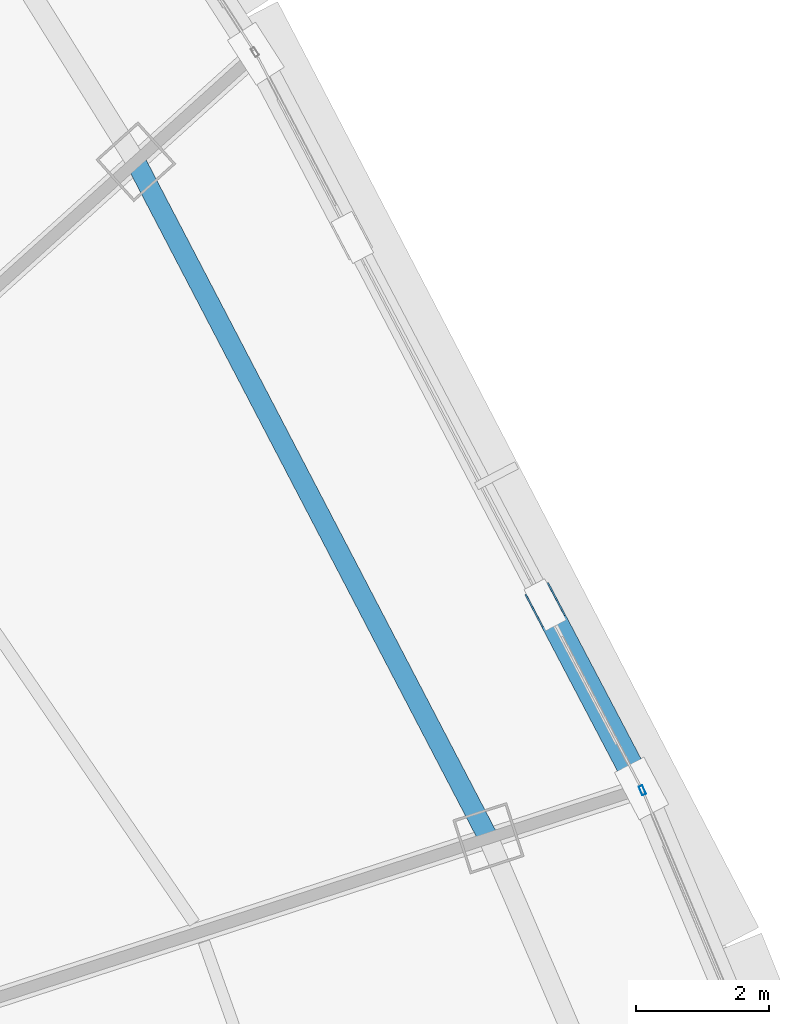
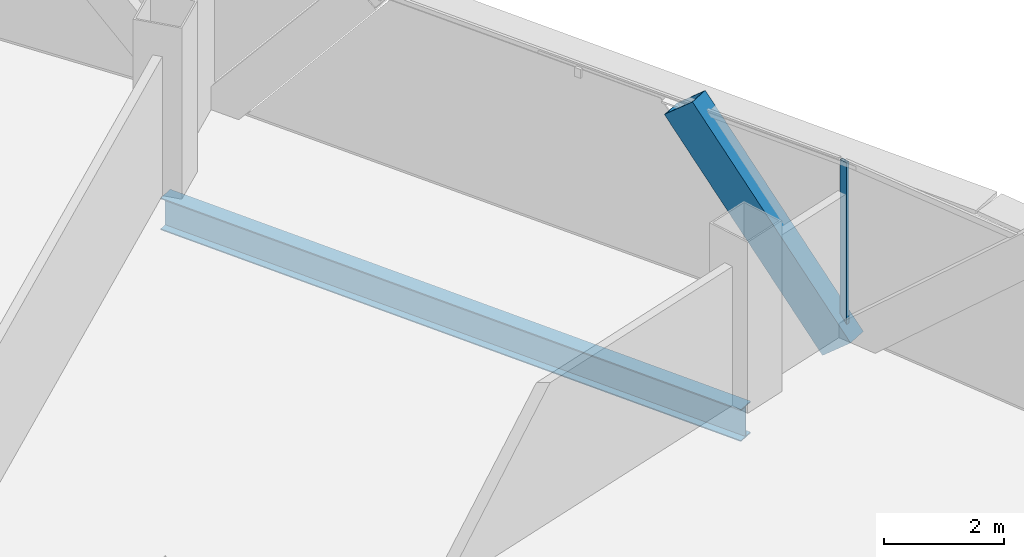
# One storey, part 14 of 37: 2 members, 1 beam, 1 element without a shape of its own.
"""IFC4 building model written with IfcOpenShell, lengths in metres."""

import ifcopenshell
import ifcopenshell.guid

model = None  # the IFC model being written
_history = None  # IfcOwnerHistory: only IFC2X3 demands one
_inside = {}  # id of a spatial element -> (the spatial element, [elements in it])
_under = {}  # id of a project, library or spatial element -> (it, [spatial elements below it])
_declared = {}  # id of a project -> (the project, [libraries it declares])
_typed = {}  # id of a type object -> (the type object, [elements of that type])
_made_of = {}  # id of a material, layer set ... -> (it, [elements and type objects made of it])


def new_model(schema):
    """Start an empty IFC model of exactly this schema.

    Asked for "IFC4X3", IfcOpenShell would pick the latest addendum, in which some entities
    have other attributes; the version numbers below select the first issue.
    IFC2X3 requires an IfcOwnerHistory on every rooted entity: one is made here for all.
    """
    global model, _history
    if schema == "IFC4X3":
        model = ifcopenshell.file(schema_version=(4, 3, 0, 0))
    else:
        model = ifcopenshell.file(schema=schema)
    _inside.clear()
    _under.clear()
    _declared.clear()
    _typed.clear()
    _made_of.clear()
    _history = None
    if model.schema == "IFC2X3":
        org = make("IfcOrganization", Name="unknown")
        user = make(
            "IfcPersonAndOrganization",
            ThePerson=make("IfcPerson", FamilyName="unknown"),
            TheOrganization=org,
        )
        app = make(
            "IfcApplication",
            ApplicationDeveloper=org,
            Version="unknown",
            ApplicationFullName="unknown",
            ApplicationIdentifier="unknown",
        )
        _history = make(
            "IfcOwnerHistory",
            OwningUser=user,
            OwningApplication=app,
            ChangeAction="ADDED",
            CreationDate=0,
        )
    return model


def make(cls, **values):
    """One entity of the class cls with the attributes given. An attribute that is None is left unset."""
    return model.create_entity(
        cls, **{name: value for name, value in values.items() if value is not None}
    )


def rooted(cls, **values):
    """An entity with a GlobalId (a new one), such as an element, a storey or a relation."""
    return make(cls, GlobalId=ifcopenshell.guid.new(), OwnerHistory=_history, **values)


def si_unit(unit_type, name, prefix=None):
    """IfcSIUnit, for example si_unit("LENGTHUNIT", "METRE", prefix="MILLI")."""
    return make("IfcSIUnit", UnitType=unit_type, Prefix=prefix, Name=name)


def assignment(units):
    """IfcUnitAssignment: the units of a project."""
    return None if units is None else make("IfcUnitAssignment", Units=units)


def point(xyz):
    """IfcCartesianPoint."""
    return None if xyz is None else make("IfcCartesianPoint", Coordinates=xyz)


def direction(xyz):
    """IfcDirection."""
    return None if xyz is None else make("IfcDirection", DirectionRatios=xyz)


def frame(location, z_axis=None, x_axis=None):
    """IfcAxis2Placement3D, a coordinate frame: its origin and axes. An axis left out is left unset."""
    return make(
        "IfcAxis2Placement3D",
        Location=point(location),
        Axis=direction(z_axis),
        RefDirection=direction(x_axis),
    )


def frame_2d(location, x_axis=None):
    """IfcAxis2Placement2D, a coordinate frame in the plane: its origin and x axis."""
    return make(
        "IfcAxis2Placement2D", Location=point(location), RefDirection=direction(x_axis)
    )


def origin():
    """The frame at (0, 0, 0) with its axes left unset."""
    return frame((0.0, 0.0, 0.0))


def origin_2d():
    """The frame at (0, 0) in the plane with its x axis left unset."""
    return frame_2d((0.0, 0.0))


def place(relative_to, where):
    """IfcLocalPlacement: puts the frame where relative to a parent placement (None: the world)."""
    return make(
        "IfcLocalPlacement", PlacementRelTo=relative_to, RelativePlacement=where
    )


def context(
    kind, dimensions, precision=None, world=None, true_north=None, identifier=None
):
    """IfcGeometricRepresentationContext, for example the 3D "Model" context."""
    return make(
        "IfcGeometricRepresentationContext",
        ContextIdentifier=identifier,
        ContextType=kind,
        CoordinateSpaceDimension=dimensions,
        Precision=precision,
        WorldCoordinateSystem=world,
        TrueNorth=true_north,
    )


def subcontext(parent, identifier, kind, view, scale=None):
    """IfcGeometricRepresentationSubContext, for example "Body" below "Model"."""
    return make(
        "IfcGeometricRepresentationSubContext",
        ContextIdentifier=identifier,
        ContextType=kind,
        ParentContext=parent,
        TargetScale=scale,
        TargetView=view,
    )


def project(units=None, contexts=None):
    """IfcProject with its units and contexts."""
    return rooted(
        "IfcProject",
        Name="project",
        RepresentationContexts=contexts,
        UnitsInContext=assignment(units),
    )


def spatial(cls, under=None, at=None, **own):
    """A site, building, storey or space (cls), placed at a placement, below another one or the project."""
    s = rooted(cls, ObjectPlacement=at, **own)
    if under is not None:
        _under.setdefault(under.id(), (under, []))[1].append(s)
    return s


def profile(cls, at=None, kind="AREA", **sizes):
    """A parametric profile (cls). Its sizes go by their IFC names, for example OverallWidth=200.0."""
    return make(cls, ProfileType=kind, Position=at, **sizes)


def hollow_rectangle(**sizes):
    """IfcRectangleHollowProfileDef."""
    return profile("IfcRectangleHollowProfileDef", **sizes)


def i_section(**sizes):
    """IfcIShapeProfileDef."""
    return profile("IfcIShapeProfileDef", **sizes)


def extrude(swept, where, along, depth):
    """IfcExtrudedAreaSolid: the profile swept, set in the frame where, extruded along a direction by depth."""
    return make(
        "IfcExtrudedAreaSolid",
        SweptArea=swept,
        Position=where,
        ExtrudedDirection=direction(along),
        Depth=depth,
    )


def shape(context_of_items, identifier, shape_type, items):
    """IfcShapeRepresentation: the items that make up one representation, for example the "Body"."""
    return make(
        "IfcShapeRepresentation",
        ContextOfItems=context_of_items,
        RepresentationIdentifier=identifier,
        RepresentationType=shape_type,
        Items=items,
    )


def source(mapping_origin, context_of_items, identifier, shape_type, items):
    """IfcRepresentationMap: a shape defined once, which mapped items show again and again."""
    return make(
        "IfcRepresentationMap",
        MappingOrigin=mapping_origin,
        MappedRepresentation=shape(context_of_items, identifier, shape_type, items),
    )


def transform(
    local_origin,
    x_axis=None,
    y_axis=None,
    z_axis=None,
    scale=None,
    scale2=None,
    scale3=None,
    uniform=True,
):
    """IfcCartesianTransformationOperator3D, or its non-uniform kind. x_axis, y_axis, z_axis: its Axis1, 2, 3."""
    if uniform:
        return make(
            "IfcCartesianTransformationOperator3D",
            Axis1=direction(x_axis),
            Axis2=direction(y_axis),
            LocalOrigin=point(local_origin),
            Scale=scale,
            Axis3=direction(z_axis),
        )
    return make(
        "IfcCartesianTransformationOperator3DnonUniform",
        Axis1=direction(x_axis),
        Axis2=direction(y_axis),
        LocalOrigin=point(local_origin),
        Scale=scale,
        Axis3=direction(z_axis),
        Scale2=scale2,
        Scale3=scale3,
    )


def mapped(mapping_source, mapping_target):
    """IfcMappedItem: shows the shape of a source again, moved by a transform."""
    return make(
        "IfcMappedItem", MappingSource=mapping_source, MappingTarget=mapping_target
    )


def material(Name=None, Category=None):
    """IfcMaterial."""
    return make("IfcMaterial", Name=Name, Category=Category)


def layer(
    of_material, thickness, ventilated=None, Name=None, Category=None, Priority=None
):
    """IfcMaterialLayer: one layer of a wall or slab, of a material (None: an air gap)."""
    return make(
        "IfcMaterialLayer",
        Material=of_material,
        LayerThickness=thickness,
        IsVentilated=ventilated,
        Name=Name,
        Category=Category,
        Priority=Priority,
    )


def layer_set(layers, Name=None):
    """IfcMaterialLayerSet."""
    return make("IfcMaterialLayerSet", MaterialLayers=layers, LayerSetName=Name)


def material_profile(
    of_material, cross_section, Name=None, Category=None, Priority=None
):
    """IfcMaterialProfile: a cross section and its material."""
    return make(
        "IfcMaterialProfile",
        Name=Name,
        Material=of_material,
        Profile=cross_section,
        Priority=Priority,
        Category=Category,
    )


def profile_set(profiles, Name=None, composite=None):
    """IfcMaterialProfileSet."""
    return make(
        "IfcMaterialProfileSet",
        Name=Name,
        MaterialProfiles=profiles,
        CompositeProfile=composite,
    )


def made_of(thing, what):
    """Note that an element or type object is made of a material, layer set ...; save() writes the relation."""
    if what is not None:
        _made_of.setdefault(what.id(), (what, []))[1].append(thing)
    return thing


def type_object(cls, material=None, **own):
    """A type object (cls), such as IfcWallType, which elements share."""
    return made_of(rooted(cls, **own), material)


def element(
    cls,
    number,
    at=None,
    inside=None,
    cuts=None,
    type_object=None,
    material=None,
    context=None,
    identifier="Body",
    shape_type=None,
    held_by="IfcProductDefinitionShape",
    body=None,
    shapes=None,
    **own,
):
    """One element of the class cls, such as IfcWall. Its Tag is "e" and its number.

    at: its placement. inside: the storey or other place that contains it. cuts: it is an
    opening in that element (IfcRelVoidsElement). A single representation is given by context,
    identifier, shape_type and body (its items); several are given by shapes. held_by: the class
    of the entity that holds the representations. save() writes the other relations.
    """
    e = rooted(cls, Tag="e%d" % number, ObjectPlacement=at, **own)
    if body is not None:
        shapes = [shape(context, identifier, shape_type, body)]
    if shapes is not None:
        e.Representation = make(held_by, Representations=shapes)
    if inside is not None:
        _inside.setdefault(inside.id(), (inside, []))[1].append(e)
    if cuts is not None:
        rooted(
            "IfcRelVoidsElement", RelatingBuildingElement=cuts, RelatedOpeningElement=e
        )
    if type_object is not None:
        _typed.setdefault(type_object.id(), (type_object, []))[1].append(e)
    return made_of(e, material)


def aggregate(whole, parts):
    """IfcRelAggregates: a whole, such as a stair, and the parts it consists of."""
    return rooted("IfcRelAggregates", RelatingObject=whole, RelatedObjects=parts)


def save(model, path):
    """Write the relations noted so far, then the file.

    IfcRelAggregates (storeys below a building ...), IfcRelContainedInSpatialStructure (elements
    in a storey), IfcRelDefinesByType, IfcRelAssociatesMaterial and IfcRelDeclares: one each for
    every whole, place, type object, material and project.
    """
    for whole, parts in _under.values():
        aggregate(whole, parts)
    for where, things in _inside.values():
        rooted(
            "IfcRelContainedInSpatialStructure",
            RelatedElements=things,
            RelatingStructure=where,
        )
    for kind, things in _typed.values():
        rooted("IfcRelDefinesByType", RelatedObjects=things, RelatingType=kind)
    for what, things in _made_of.values():
        rooted("IfcRelAssociatesMaterial", RelatedObjects=things, RelatingMaterial=what)
    for by, libraries in _declared.values():
        rooted("IfcRelDeclares", RelatingContext=by, RelatedDefinitions=libraries)
    model.write(path)


model = new_model("IFC4")

# Units and contexts
model_context = context("Model", 3, precision=1e-05, world=origin(), true_north=direction((0.0, 1.0)))
body_context = subcontext(model_context, "Body", "Model", "MODEL_VIEW")
ifc_project = project(units=[si_unit("LENGTHUNIT", "METRE"), si_unit("AREAUNIT", "SQUARE_METRE"), si_unit("VOLUMEUNIT", "CUBIC_METRE"), si_unit("PLANEANGLEUNIT", "RADIAN"), si_unit("MASSUNIT", "GRAM", prefix="KILO"), si_unit("THERMODYNAMICTEMPERATUREUNIT", "KELVIN"), si_unit("POWERUNIT", "WATT")], contexts=[model_context])

# Site, building, storey
site_placement = place(None, origin())
site = spatial("IfcSite", under=ifc_project, at=site_placement, CompositionType="ELEMENT")
building_placement = place(site_placement, origin())
building = spatial("IfcBuilding", under=site, at=building_placement, Name="Yunzhuo Pagoda Commons", CompositionType="ELEMENT")
storey_placement = place(building_placement, frame((0.0, 0.0, 240.800048828125)))
storey = spatial("IfcBuildingStorey", under=building, at=storey_placement, Name="L60", CompositionType="ELEMENT", Elevation=240.800048828125)

# Beam
ifc_material_1 = material(Name="Structural steel Q355B", Category="steel")
ifc_material_profile_1 = material_profile(ifc_material_1, i_section(OverallWidth=0.300048828125, OverallDepth=0.64990234375, WebThickness=0.012939453125, FlangeThickness=0.02197265625, at=origin_2d()), Name="Structural steel Q355B")
ifc_profile_set_1 = profile_set([ifc_material_profile_1], Name="Structural steel Q355B")
beam_type = type_object("IfcBeamType", Name="B-RG2 Beam HN 650x300x13x22", PredefinedType="BEAM", material=ifc_profile_set_1)
shared_shape_1 = source(origin(), body_context, "Body", "SweptSolid", [
    extrude(i_section(OverallWidth=0.300048828125, OverallDepth=0.64990234375, WebThickness=0.012939453125, FlangeThickness=0.02197265625, at=origin_2d()), origin(), (0.0, 0.0, 1.0), 11.43896484375),
])
beam_placement = place(storey_placement, frame((73.898681640625, 42.114990234375, -0.5849609375), z_axis=(-0.462175736513, 0.886788356136, 0.0), x_axis=(-0.886788356136, -0.462175736513, 0.0)))
element("IfcBeam", 1, at=beam_placement, inside=storey, type_object=beam_type, Name="L60 column-ring beam 6", PredefinedType="BEAM", context=body_context, shape_type="MappedRepresentation", body=[
    mapped(shared_shape_1, transform((0.0, 0.0, 0.0), scale=1.0)),
])

# Member
ifc_material_profile_2 = material_profile(ifc_material_1, hollow_rectangle(XDim=0.39990234375, YDim=0.719970703125, WallThickness=0.02392578125, at=origin_2d()), Name="Structural steel Q355B")
ifc_profile_set_2 = profile_set([ifc_material_profile_2], Name="Structural steel Q355B")
member_type_1 = type_object("IfcMemberType", Name="M-DL2 Brace BOX 720x400x24", PredefinedType="BRACE", material=ifc_profile_set_2)
shared_shape_2 = source(origin(), body_context, "Body", "SweptSolid", [
    extrude(hollow_rectangle(XDim=0.39990234375, YDim=0.719970703125, WallThickness=0.02392578125, at=origin_2d()), origin(), (0.0, 0.0, 1.0), 4.857421875),
])
member_1_placement = place(storey_placement, frame((76.195556640625, 42.861083984375, -0.260009765625), z_axis=(-0.29770365409, 0.567109628415, 0.767957813751), x_axis=(-0.885416472783, -0.46479852595, 0.0)))
element("IfcMember", 2, at=member_1_placement, inside=storey, type_object=member_type_1, Name="L60 facade diamond brace F2.2L", PredefinedType="BRACE", context=body_context, shape_type="MappedRepresentation", body=[
    mapped(shared_shape_2, transform((0.0, 0.0, 0.0), scale=1.0)),
])

# Curtain wall, member
ifc_material_2 = material(Name="Anodized aluminium 6063-T6", Category="aluminium")
ifc_layer = layer(ifc_material_2, 0.139892578125)
ifc_layer_set = layer_set([ifc_layer], Name="Anodized aluminium 6063-T6")
curtain_wall_type = type_object("IfcCurtainWallType", Name="CW-HI High-Zone Ribbon Curtain Wall", PredefinedType="NOTDEFINED", material=ifc_layer_set)
curtain_wall_placement = place(storey_placement, origin())
curtain_wall = element("IfcCurtainWall", 3, at=curtain_wall_placement, inside=storey, type_object=curtain_wall_type, Name="L60 curtain wall CW-L60-F2B2", PredefinedType="NOTDEFINED")
ifc_material_profile_3 = material_profile(ifc_material_2, hollow_rectangle(XDim=0.06005859375, YDim=0.139892578125, WallThickness=0.00341796875, at=origin_2d()), Name="Anodized aluminium 6063-T6")
ifc_profile_set_3 = profile_set([ifc_material_profile_3], Name="Anodized aluminium 6063-T6")
member_type_2 = type_object("IfcMemberType", Name="CW-HI-M Mullion RHS 140x60x3.5", PredefinedType="MULLION", material=ifc_profile_set_3)
shared_shape_3 = source(origin(), body_context, "Body", "SweptSolid", [
    extrude(hollow_rectangle(XDim=0.06005859375, YDim=0.139892578125, WallThickness=0.00341796875, at=origin_2d()), origin(), (0.0, 0.0, 1.0), 3.47021484375),
])
member_2_placement = place(storey_placement, frame((76.20703125, 42.83349609375, 0.0), z_axis=(0.0, 0.0, 1.0), x_axis=(-0.922008372235, -0.387169938824, 0.0)))
member_2 = element("IfcMember", 4, at=member_2_placement, type_object=member_type_2, Name="CW mullion 2", PredefinedType="MULLION", context=body_context, shape_type="MappedRepresentation", body=[
    mapped(shared_shape_3, transform((0.0, 0.0, 0.0), scale=1.0)),
])
aggregate(curtain_wall, [member_2])

save(model, "model.ifc")
